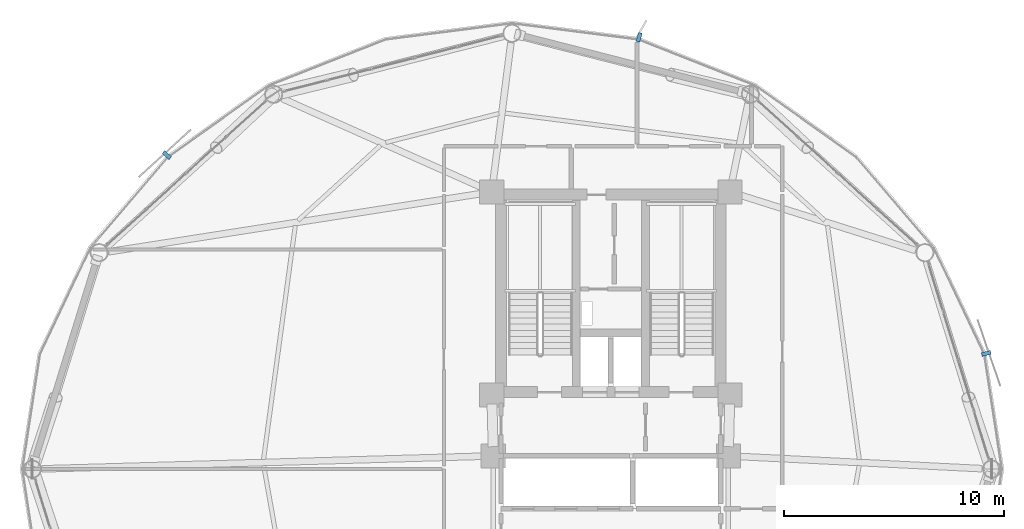
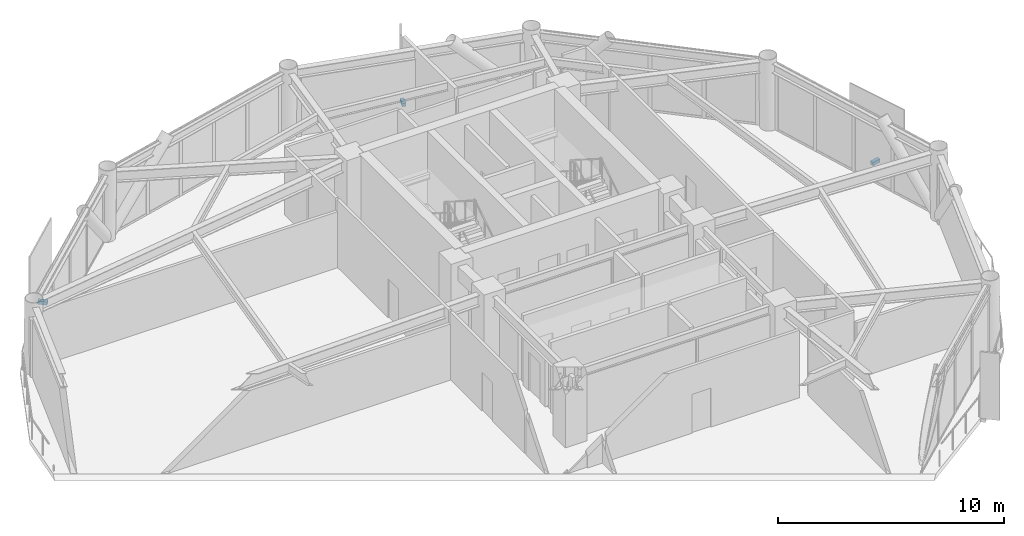
# One storey, part 23 of 26: 3 discrete accessories.
"""IFC4 building model written with IfcOpenShell, lengths in metres."""

from ifc_helpers import new_model, si_unit, direction, frame, origin, origin_2d, place, context, subcontext, project, spatial, rectangle, extrude, source, transform, mapped, material, type_object, type_shapes, element, save


model = new_model("IFC4")

# Units and contexts
model_context = context("Model", 3, precision=1e-05, world=origin(), true_north=direction((0.0, 1.0)))
body_context = subcontext(model_context, "Body", "Model", "MODEL_VIEW")
ifc_project = project(units=[si_unit("LENGTHUNIT", "METRE"), si_unit("AREAUNIT", "SQUARE_METRE"), si_unit("VOLUMEUNIT", "CUBIC_METRE"), si_unit("PLANEANGLEUNIT", "RADIAN"), si_unit("MASSUNIT", "GRAM", prefix="KILO")], contexts=[model_context])

# Site, building, storey
site_placement = place(None, origin())
site = spatial("IfcSite", under=ifc_project, at=site_placement, CompositionType="ELEMENT")
building_placement = place(site_placement, origin())
building = spatial("IfcBuilding", under=site, at=building_placement, Name="Varnakorn Sky Granary", CompositionType="ELEMENT")
storey_placement = place(building_placement, frame((0.0, 0.0, 87.60009765625)))
storey = spatial("IfcBuildingStorey", under=building, at=storey_placement, Name="L21", CompositionType="ELEMENT", Elevation=87.60009765625)

# Discrete accessories
ifc_material = material(Name="Steel S355JR", Category="steel")
discrete_accessory_type = type_object("IfcDiscreteAccessoryType", Name="AC-BRK-01", PredefinedType="BRACKET", material=ifc_material)
shared_shape = source(origin(), body_context, "Body", "SweptSolid", [
    extrude(rectangle(XDim=0.179931640625, YDim=0.419921875, at=origin_2d()), origin(), (0.0, 0.0, 1.0), 0.179931640625),
])
type_shapes(discrete_accessory_type, [shared_shape])
for number, where, z_axis, x_axis, name in (
    (1, (20.093994140625, 5.265625, -0.2001953125), (0.0, 0.0, 1.0), (-0.236905362116, 0.971532732027, 0.0), "Facade Solar-Screen Outrigger Bracket L21-01"),
    (2, (4.288818359375, 19.66064453125, -0.2001953125), (0.0, 0.0, 1.0), (-0.959284105325, 0.282442923918, 0.0), "Facade Solar-Screen Outrigger Bracket L21-03"),
    (3, (-17.2158203125, 14.29345703125, -0.2001953125), (0.0, 0.0, 1.0), (-0.672837247203, -0.739790537096, 0.0), "Facade Solar-Screen Outrigger Bracket L21-05"),
):
    element("IfcDiscreteAccessory", number, at=place(storey_placement, frame(where, z_axis=z_axis, x_axis=x_axis)), inside=storey, type_object=discrete_accessory_type, Name=name, PredefinedType="BRACKET", context=body_context, shape_type="MappedRepresentation", body=[
        mapped(shared_shape, transform((0.0, 0.0, 0.0), x_axis=(1.0, 0.0, 0.0), y_axis=(0.0, 1.0, 0.0), z_axis=(0.0, 0.0, 1.0), scale=1.0)),
    ])

save(model, "model.ifc")
